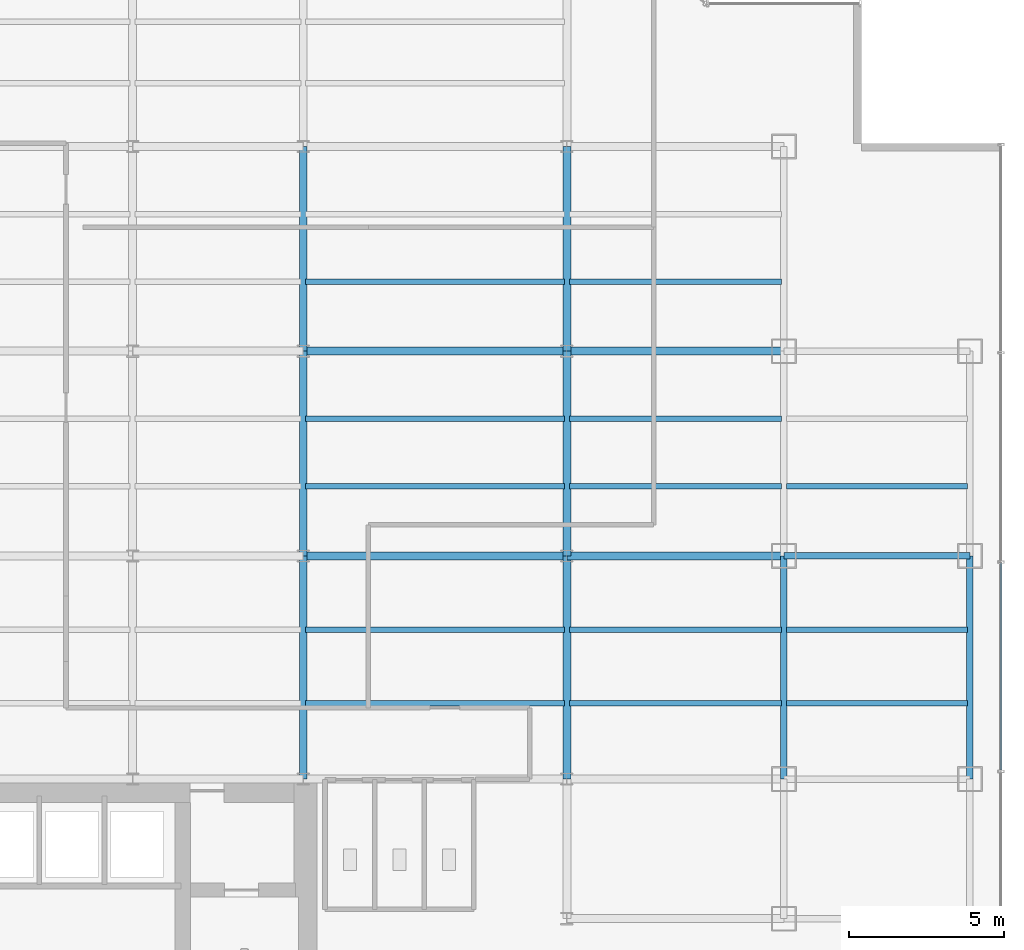
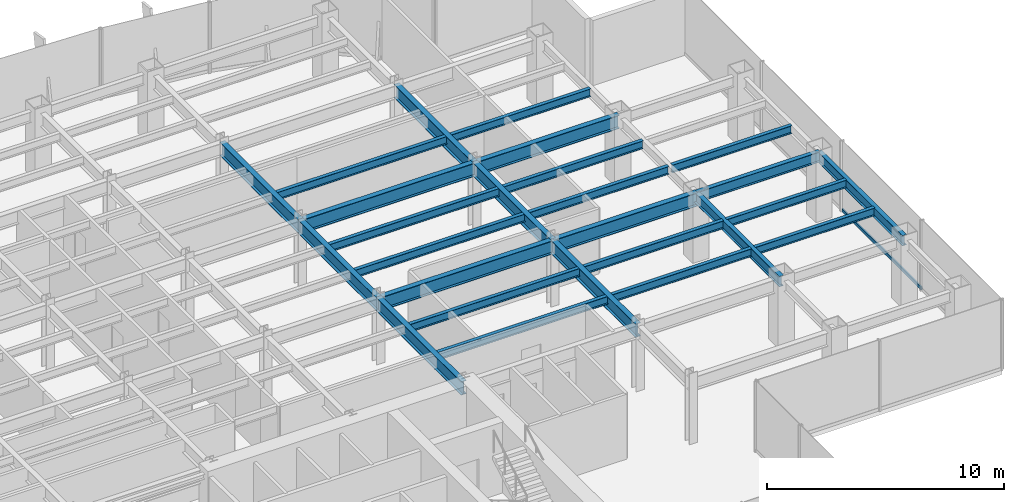
# One storey, part 11 of 26: 26 beams, 1 member, 1 element without a shape of its own.
"""IFC4 building model written with IfcOpenShell, lengths in metres."""

from ifc_helpers import new_model, si_unit, derived_unit, direction, frame, origin, origin_2d, place, context, subcontext, project, spatial, hollow_rectangle, i_section, extrude, source, transform, mapped, material, material_profile, profile_set, type_object, element, aggregate, save


model = new_model("IFC4")

# Units and contexts
model_context = context("Model", 3, precision=1e-05, world=origin(), true_north=direction((0.0, 1.0)))
body_context = subcontext(model_context, "Body", "Model", "MODEL_VIEW")
ifc_project = project(units=[si_unit("LENGTHUNIT", "METRE"), si_unit("AREAUNIT", "SQUARE_METRE"), si_unit("VOLUMEUNIT", "CUBIC_METRE"), si_unit("PLANEANGLEUNIT", "RADIAN"), si_unit("MASSUNIT", "GRAM", prefix="KILO"), derived_unit("THERMALTRANSMITTANCEUNIT", [(si_unit("POWERUNIT", "WATT"), 1), (si_unit("LENGTHUNIT", "METRE"), -2), (si_unit("THERMODYNAMICTEMPERATUREUNIT", "KELVIN"), -1)])], contexts=[model_context])

# Site, building, storey
site_placement = place(None, origin())
site = spatial("IfcSite", under=ifc_project, at=site_placement, CompositionType="ELEMENT")
building_placement = place(site_placement, origin())
building = spatial("IfcBuilding", under=site, at=building_placement, Name="Skarnbrae Concourse Arena and Tower", CompositionType="ELEMENT")
storey_placement = place(building_placement, frame((0.0, 0.0, 132.449951171875)))
storey = spatial("IfcBuildingStorey", under=building, at=storey_placement, Name="L33", CompositionType="ELEMENT", Elevation=132.449951171875)

# Beams
ifc_material_1 = material(Name="Steel CSA G40.21 350W", Category="steel")
ifc_material_profile_1 = material_profile(ifc_material_1, i_section(OverallWidth=0.256103515625, OverallDepth=0.693115234375, WebThickness=0.014404296875, FlangeThickness=0.023681640625, at=origin_2d()), Name="W690X170")
ifc_profile_set_1 = profile_set([ifc_material_profile_1], Name="Steel CSA G40.21 350W")
beam_type_1 = type_object("IfcBeamType", Name="BM-GIRD-W690X170", PredefinedType="BEAM", material=ifc_profile_set_1)
shared_shape_1 = source(origin(), body_context, "Body", "SweptSolid", [
    extrude(i_section(OverallWidth=0.256103515625, OverallDepth=0.693115234375, WebThickness=0.014404296875, FlangeThickness=0.023681640625, at=origin_2d()), origin(), (0.0, 0.0, 1.0), 7.0),
])
for number, where, z_axis, x_axis, name in (
    (1, (42.0, 21.199951171875, 3.003662109375), (1.0, 0.0, 0.0), (0.0, 1.0, 0.0), "L33 Primary E-W girder Y21.2-7"),
    (2, (42.0, 27.800048828125, 3.003662109375), (1.0, 0.0, 0.0), (0.0, 1.0, 0.0), "L33 Primary E-W girder Y27.8-7"),
):
    element("IfcBeam", number, at=place(storey_placement, frame(where, z_axis=z_axis, x_axis=x_axis)), inside=storey, type_object=beam_type_1, Name=name, PredefinedType="BEAM", context=body_context, shape_type="MappedRepresentation", body=[
        mapped(shared_shape_1, transform((0.0, 0.0, 0.0))),
    ])
ifc_material_profile_2 = material_profile(ifc_material_1, i_section(OverallWidth=0.208984375, OverallDepth=0.532958984375, WebThickness=0.01025390625, FlangeThickness=0.015625, at=origin_2d()), Name="W530X92")
ifc_profile_set_2 = profile_set([ifc_material_profile_2], Name="Steel CSA G40.21 350W")
beam_type_2 = type_object("IfcBeamType", Name="BM-SPAN-W530X92", PredefinedType="SPANDREL", material=ifc_profile_set_2)
shared_shape_2 = source(origin(), body_context, "Body", "SweptSolid", [
    extrude(i_section(OverallWidth=0.208984375, OverallDepth=0.532958984375, WebThickness=0.01025390625, FlangeThickness=0.015625, at=origin_2d()), origin(), (0.0, 0.0, 1.0), 6.0),
])
beam_placement = place(storey_placement, frame((49.0, 21.199951171875, 3.08349609375), z_axis=(1.0, 0.0, 0.0), x_axis=(0.0, 1.0, 0.0)))
element("IfcBeam", 3, at=beam_placement, inside=storey, type_object=beam_type_2, Name="L33 Perimeter spandrel Y21.2-8", PredefinedType="SPANDREL", context=body_context, shape_type="MappedRepresentation", body=[
    mapped(shared_shape_2, transform((0.0, 0.0, 0.0))),
])
shared_shape_3 = source(origin(), body_context, "Body", "SweptSolid", [
    extrude(i_section(OverallWidth=0.256103515625, OverallDepth=0.693115234375, WebThickness=0.014404296875, FlangeThickness=0.023681640625, at=origin_2d()), origin(), (0.0, 0.0, 1.0), 6.60009765625),
])
for number, where, z_axis, x_axis, name in (
    (4, (33.5, 21.199951171875, 3.003662109375), (0.0, 1.0, 0.0), (-1.0, 0.0, 0.0), "L33 Primary N-S girder X33.5-2"),
    (5, (42.0, 21.199951171875, 3.003662109375), (0.0, 1.0, 0.0), (-1.0, 0.0, 0.0), "L33 Primary N-S girder X42.0-3"),
):
    element("IfcBeam", number, at=place(storey_placement, frame(where, z_axis=z_axis, x_axis=x_axis)), inside=storey, type_object=beam_type_1, Name=name, PredefinedType="BEAM", context=body_context, shape_type="MappedRepresentation", body=[
        mapped(shared_shape_3, transform((0.0, 0.0, 0.0))),
    ])
shared_shape_4 = source(origin(), body_context, "Body", "SweptSolid", [
    extrude(i_section(OverallWidth=0.256103515625, OverallDepth=0.693115234375, WebThickness=0.014404296875, FlangeThickness=0.023681640625, at=origin_2d()), origin(), (0.0, 0.0, 1.0), 8.5),
])
for number, where, z_axis, x_axis, name in (
    (6, (33.5, 21.199951171875, 3.003662109375), (1.0, 0.0, 0.0), (0.0, 1.0, 0.0), "L33 Primary E-W girder Y21.2-6"),
    (7, (33.5, 27.800048828125, 3.003662109375), (1.0, 0.0, 0.0), (0.0, 1.0, 0.0), "L33 Primary E-W girder Y27.8-6"),
):
    element("IfcBeam", number, at=place(storey_placement, frame(where, z_axis=z_axis, x_axis=x_axis)), inside=storey, type_object=beam_type_1, Name=name, PredefinedType="BEAM", context=body_context, shape_type="MappedRepresentation", body=[
        mapped(shared_shape_4, transform((0.0, 0.0, 0.0))),
    ])
shared_shape_5 = source(origin(), body_context, "Body", "SweptSolid", [
    extrude(i_section(OverallWidth=0.208984375, OverallDepth=0.532958984375, WebThickness=0.01025390625, FlangeThickness=0.015625, at=origin_2d()), origin(), (0.0, 0.0, 1.0), 7.199951171875),
])
for number, where, z_axis, x_axis, name in (
    (8, (49.0, 14.0, 3.08349609375), (0.0, 1.0, 0.0), (-1.0, 0.0, 0.0), "L33 Perimeter spandrel X49.0-2"),
    (9, (55.0, 14.0, 3.08349609375), (0.0, 1.0, 0.0), (-1.0, 0.0, 0.0), "L33 Perimeter spandrel X55.0-2"),
):
    element("IfcBeam", number, at=place(storey_placement, frame(where, z_axis=z_axis, x_axis=x_axis)), inside=storey, type_object=beam_type_2, Name=name, PredefinedType="SPANDREL", context=body_context, shape_type="MappedRepresentation", body=[
        mapped(shared_shape_5, transform((0.0, 0.0, 0.0))),
    ])
shared_shape_6 = source(origin(), body_context, "Body", "SweptSolid", [
    extrude(i_section(OverallWidth=0.256103515625, OverallDepth=0.693115234375, WebThickness=0.014404296875, FlangeThickness=0.023681640625, at=origin_2d()), origin(), (0.0, 0.0, 1.0), 7.199951171875),
])
for number, where, z_axis, x_axis, name in (
    (10, (33.5, 14.0, 3.003662109375), (0.0, 1.0, 0.0), (-1.0, 0.0, 0.0), "L33 Primary N-S girder X33.5-1"),
    (11, (42.0, 14.0, 3.003662109375), (0.0, 1.0, 0.0), (-1.0, 0.0, 0.0), "L33 Primary N-S girder X42.0-2"),
):
    element("IfcBeam", number, at=place(storey_placement, frame(where, z_axis=z_axis, x_axis=x_axis)), inside=storey, type_object=beam_type_1, Name=name, PredefinedType="BEAM", context=body_context, shape_type="MappedRepresentation", body=[
        mapped(shared_shape_6, transform((0.0, 0.0, 0.0))),
    ])
shared_shape_7 = source(origin(), body_context, "Body", "SweptSolid", [
    extrude(i_section(OverallWidth=0.256103515625, OverallDepth=0.693115234375, WebThickness=0.014404296875, FlangeThickness=0.023681640625, at=origin_2d()), origin(), (0.0, 0.0, 1.0), 6.599853515625),
])
for number, where, z_axis, x_axis, name in (
    (12, (33.5, 27.800048828125, 3.003662109375), (0.0, 1.0, 0.0), (-1.0, 0.0, 0.0), "L33 Primary N-S girder X33.5-3"),
    (13, (42.0, 27.800048828125, 3.003662109375), (0.0, 1.0, 0.0), (-1.0, 0.0, 0.0), "L33 Primary N-S girder X42.0-4"),
):
    element("IfcBeam", number, at=place(storey_placement, frame(where, z_axis=z_axis, x_axis=x_axis)), inside=storey, type_object=beam_type_1, Name=name, PredefinedType="BEAM", context=body_context, shape_type="MappedRepresentation", body=[
        mapped(shared_shape_7, transform((0.0, 0.0, 0.0))),
    ])
ifc_material_profile_3 = material_profile(ifc_material_1, i_section(OverallWidth=0.177978515625, OverallDepth=0.406982421875, WebThickness=0.0078125, FlangeThickness=0.0126953125, at=origin_2d()), Name="W410X60")
ifc_profile_set_3 = profile_set([ifc_material_profile_3], Name="Steel CSA G40.21 350W")
beam_type_3 = type_object("IfcBeamType", Name="BM-JOIST-W410X60", PredefinedType="JOIST", material=ifc_profile_set_3)
shared_shape_8 = source(origin(), body_context, "Body", "SweptSolid", [
    extrude(i_section(OverallWidth=0.177978515625, OverallDepth=0.406982421875, WebThickness=0.0078125, FlangeThickness=0.0126953125, at=origin_2d()), origin(), (0.0, 0.0, 1.0), 8.33984375),
])
for number, where, z_axis, x_axis, name in (
    (14, (33.580078125, 16.447998046875, 3.146484375), (1.0, 0.0, 0.0), (0.0, 1.0, 0.0), "L33 Secondary floor joist 1.1.6"),
    (15, (33.580078125, 18.823974609375, 3.146484375), (1.0, 0.0, 0.0), (0.0, 1.0, 0.0), "L33 Secondary floor joist 1.2.6"),
    (16, (33.580078125, 23.444091796875, 3.146484375), (1.0, 0.0, 0.0), (0.0, 1.0, 0.0), "L33 Secondary floor joist 2.1.6"),
    (17, (33.580078125, 25.6220703125, 3.146484375), (1.0, 0.0, 0.0), (0.0, 1.0, 0.0), "L33 Secondary floor joist 2.2.6"),
    (18, (33.580078125, 30.0439453125, 3.146484375), (1.0, 0.0, 0.0), (0.0, 1.0, 0.0), "L33 Secondary floor joist 3.1.5"),
):
    element("IfcBeam", number, at=place(storey_placement, frame(where, z_axis=z_axis, x_axis=x_axis)), inside=storey, type_object=beam_type_3, Name=name, PredefinedType="JOIST", context=body_context, shape_type="MappedRepresentation", body=[
        mapped(shared_shape_8, transform((0.0, 0.0, 0.0))),
    ])
shared_shape_9 = source(origin(), body_context, "Body", "SweptSolid", [
    extrude(i_section(OverallWidth=0.177978515625, OverallDepth=0.406982421875, WebThickness=0.0078125, FlangeThickness=0.0126953125, at=origin_2d()), origin(), (0.0, 0.0, 1.0), 6.83984375),
])
for number, where, z_axis, x_axis, name in (
    (19, (42.080078125, 16.447998046875, 3.146484375), (1.0, 0.0, 0.0), (0.0, 1.0, 0.0), "L33 Secondary floor joist 1.1.7"),
    (20, (42.080078125, 18.823974609375, 3.146484375), (1.0, 0.0, 0.0), (0.0, 1.0, 0.0), "L33 Secondary floor joist 1.2.7"),
    (21, (42.080078125, 23.444091796875, 3.146484375), (1.0, 0.0, 0.0), (0.0, 1.0, 0.0), "L33 Secondary floor joist 2.1.7"),
    (22, (42.080078125, 25.6220703125, 3.146484375), (1.0, 0.0, 0.0), (0.0, 1.0, 0.0), "L33 Secondary floor joist 2.2.7"),
    (23, (42.080078125, 30.0439453125, 3.146484375), (1.0, 0.0, 0.0), (0.0, 1.0, 0.0), "L33 Secondary floor joist 3.1.6"),
):
    element("IfcBeam", number, at=place(storey_placement, frame(where, z_axis=z_axis, x_axis=x_axis)), inside=storey, type_object=beam_type_3, Name=name, PredefinedType="JOIST", context=body_context, shape_type="MappedRepresentation", body=[
        mapped(shared_shape_9, transform((0.0, 0.0, 0.0))),
    ])
shared_shape_10 = source(origin(), body_context, "Body", "SweptSolid", [
    extrude(i_section(OverallWidth=0.177978515625, OverallDepth=0.406982421875, WebThickness=0.0078125, FlangeThickness=0.0126953125, at=origin_2d()), origin(), (0.0, 0.0, 1.0), 5.83984375),
])
for number, where, z_axis, x_axis, name in (
    (24, (49.080078125, 16.447998046875, 3.146484375), (1.0, 0.0, 0.0), (0.0, 1.0, 0.0), "L33 Secondary floor joist 1.1.8"),
    (25, (49.080078125, 18.823974609375, 3.146484375), (1.0, 0.0, 0.0), (0.0, 1.0, 0.0), "L33 Secondary floor joist 1.2.8"),
    (26, (49.080078125, 23.444091796875, 3.146484375), (1.0, 0.0, 0.0), (0.0, 1.0, 0.0), "L33 Secondary floor joist 2.1.8"),
):
    element("IfcBeam", number, at=place(storey_placement, frame(where, z_axis=z_axis, x_axis=x_axis)), inside=storey, type_object=beam_type_3, Name=name, PredefinedType="JOIST", context=body_context, shape_type="MappedRepresentation", body=[
        mapped(shared_shape_10, transform((0.0, 0.0, 0.0))),
    ])

# Curtain wall, member
ifc_material_2 = material(Name="Bronze anodised aluminium 6063-T6", Category="aluminium")
curtain_wall_type = type_object("IfcCurtainWallType", Name="CW-SYS-04-MIDZONE", PredefinedType="USERDEFINED", material=ifc_material_2)
curtain_wall_placement = place(storey_placement, origin())
curtain_wall = element("IfcCurtainWall", 27, at=curtain_wall_placement, inside=storey, type_object=curtain_wall_type, Name="L33 Unitised curtain wall CW-L33-E04", ObjectType="UNITISED CURTAIN WALL", PredefinedType="USERDEFINED")
ifc_material_profile_4 = material_profile(ifc_material_2, hollow_rectangle(XDim=0.074951171875, YDim=0.159912109375, WallThickness=0.00439453125, at=origin_2d()), Name="ALU-TRAN-75X160")
ifc_profile_set_4 = profile_set([ifc_material_profile_4], Name="Bronze anodised aluminium 6063-T6")
member_type = type_object("IfcMemberType", Name="CWT-CW-04", PredefinedType="USERDEFINED", material=ifc_profile_set_4)
shared_shape_11 = source(origin(), body_context, "Body", "SweptSolid", [
    extrude(hollow_rectangle(XDim=0.074951171875, YDim=0.159912109375, WallThickness=0.00439453125, at=origin_2d()), origin(), (0.0, 0.0, 1.0), 6.6748046875),
])
member_placement = place(storey_placement, frame((56.0, 14.28759765625, 0.080078125), z_axis=(0.0, 1.0, 0.0), x_axis=(-1.0, 0.0, 0.0)))
member = element("IfcMember", 28, at=member_placement, type_object=member_type, Name="CW-L33-E04 Transom 2", ObjectType="TRANSOM", PredefinedType="USERDEFINED", context=body_context, shape_type="MappedRepresentation", body=[
    mapped(shared_shape_11, transform((0.0, 0.0, 0.0))),
])
aggregate(curtain_wall, [member])

save(model, "model.ifc")
